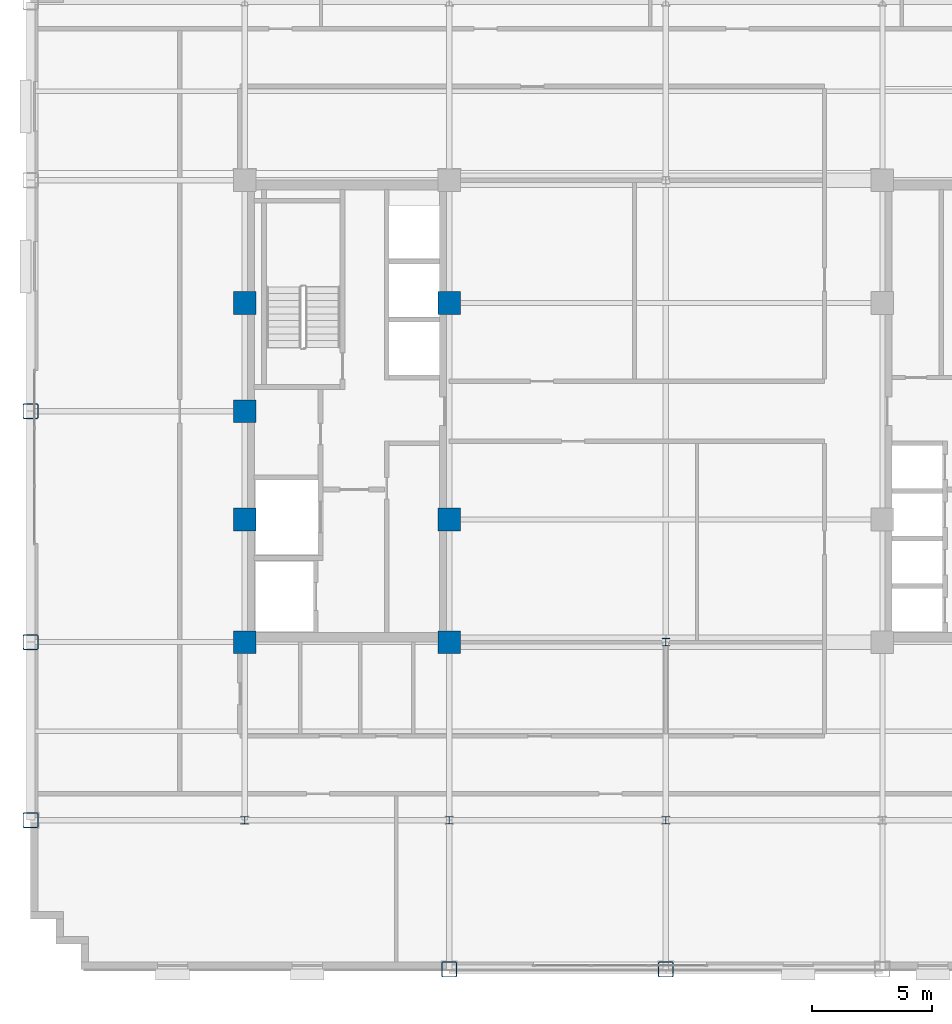
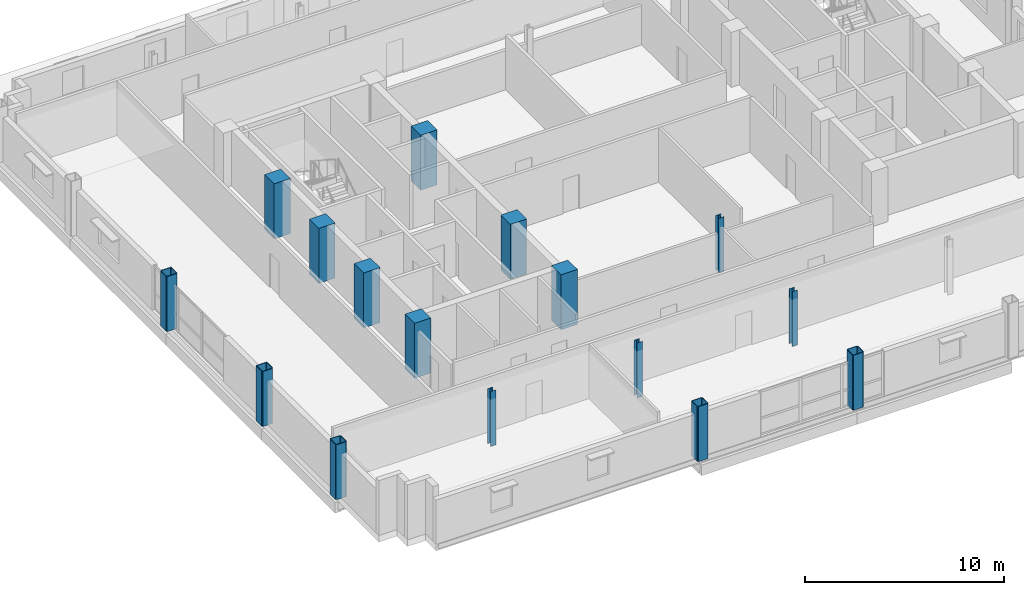
# One storey, part 1 of 17: 16 columns.
"""IFC4 building model written with IfcOpenShell, lengths in metres."""

from ifc_helpers import new_model, si_unit, direction, frame, origin, origin_2d, place, context, subcontext, project, spatial, rectangle, hollow_rectangle, i_section, extrude, material, material_profile, profile_set, type_object, element, save


model = new_model("IFC4")

# Units and contexts
model_context = context("Model", 3, precision=1e-05, world=origin(), true_north=direction((0.0, 1.0)))
body_context = subcontext(model_context, "Body", "Model", "MODEL_VIEW")
ifc_project = project(units=[si_unit("LENGTHUNIT", "METRE"), si_unit("AREAUNIT", "SQUARE_METRE"), si_unit("VOLUMEUNIT", "CUBIC_METRE"), si_unit("PLANEANGLEUNIT", "RADIAN"), si_unit("MASSUNIT", "GRAM", prefix="KILO")], contexts=[model_context])

# Site, building, storey
site_placement = place(None, origin())
site = spatial("IfcSite", under=ifc_project, at=site_placement, CompositionType="ELEMENT")
building_placement = place(site_placement, origin())
building = spatial("IfcBuilding", under=site, at=building_placement, Name="Nuvemarco Arch Tower", CompositionType="ELEMENT")
storey_placement = place(building_placement, frame((0.0, 0.0, 167.64990234375)))
storey = spatial("IfcBuildingStorey", under=building, at=storey_placement, Name="L44", CompositionType="ELEMENT", Elevation=167.64990234375)

# Columns
ifc_material_1 = material(Name="Concrete C50/60", Category="concrete")
ifc_material_profile_1 = material_profile(ifc_material_1, rectangle(XDim=0.949951171875, YDim=0.949951171875, at=origin_2d()), Name="RC-COL-950x950")
ifc_profile_set_1 = profile_set([ifc_material_profile_1], Name="Concrete C50/60")
column_type_1 = type_object("IfcColumnType", Name="COL-CORE-950", PredefinedType="COLUMN", material=ifc_profile_set_1)
for number, where, z_axis, x_axis, name in (
    (1, (-17.5, -9.60009765625, 0.0), (0.0, 0.0, 1.0), (1.0, 0.0, 0.0), "L44 column CC_-17.5_-9.6"),
    (2, (-17.5, -4.5, 0.0), (0.0, 0.0, 1.0), (1.0, 0.0, 0.0), "L44 column CC_-17.5_-4.5"),
    (3, (-17.5, 4.5, 0.0), (0.0, 0.0, 1.0), (1.0, 0.0, 0.0), "L44 column CC_-17.5_+4.5"),
    (4, (-9.0, -9.60009765625, 0.0), (0.0, 0.0, 1.0), (1.0, 0.0, 0.0), "L44 column CC_-9.0_-9.6"),
    (5, (-9.0, -4.5, 0.0), (0.0, 0.0, 1.0), (1.0, 0.0, 0.0), "L44 column CC_-9.0_-4.5"),
    (6, (-9.0, 4.5, 0.0), (0.0, 0.0, 1.0), (1.0, 0.0, 0.0), "L44 column CC_-9.0_+4.5"),
    (7, (-17.5, 0.0, 0.0), (0.0, 0.0, 1.0), (1.0, 0.0, 0.0), "L44 column CC_-17.5_+0.0"),
):
    element("IfcColumn", number, at=place(storey_placement, frame(where, z_axis=z_axis, x_axis=x_axis)), inside=storey, type_object=column_type_1, Name=name, PredefinedType="COLUMN", context=body_context, shape_type="SweptSolid", body=[
        extrude(rectangle(XDim=0.949951171875, YDim=0.949951171875, at=origin_2d()), origin(), (0.0, 0.0, 1.0), 3.3701171875),
    ])
ifc_material_2 = material(Name="Steel S355", Category="steel")
ifc_material_profile_2 = material_profile(ifc_material_2, hollow_rectangle(XDim=0.64990234375, YDim=0.64990234375, WallThickness=0.0400390625, InnerFilletRadius=0.0400390625, OuterFilletRadius=0.080078125, at=origin_2d()), Name="SHS650x650x40")
ifc_profile_set_2 = profile_set([ifc_material_profile_2], Name="Steel S355")
column_type_2 = type_object("IfcColumnType", Name="COL-EXO-650", PredefinedType="COLUMN", material=ifc_profile_set_2)
for number, where, z_axis, x_axis, name in (
    (8, (-26.39990234375, -17.0, 0.0), (0.0, 0.0, 1.0), (1.0, 0.0, 0.0), "L44 column CX_-26.4_-17.0"),
    (9, (-26.39990234375, -9.60009765625, 0.0), (0.0, 0.0, 1.0), (1.0, 0.0, 0.0), "L44 column CX_-26.4_-9.6"),
    (10, (-26.39990234375, 0.0, 0.0), (0.0, 0.0, 1.0), (1.0, 0.0, 0.0), "L44 column CX_-26.4_+0.0"),
    (11, (-9.0, -23.199951171875, 0.0), (0.0, 0.0, 1.0), (1.0, 0.0, 0.0), "L44 column CY_-9.0_-23.2"),
    (12, (0.0, -23.199951171875, 0.0), (0.0, 0.0, 1.0), (1.0, 0.0, 0.0), "L44 column CY_+0.0_-23.2"),
):
    element("IfcColumn", number, at=place(storey_placement, frame(where, z_axis=z_axis, x_axis=x_axis)), inside=storey, type_object=column_type_2, Name=name, PredefinedType="COLUMN", context=body_context, shape_type="SweptSolid", body=[
        extrude(hollow_rectangle(XDim=0.64990234375, YDim=0.64990234375, WallThickness=0.0400390625, InnerFilletRadius=0.0400390625, OuterFilletRadius=0.080078125, at=origin_2d()), origin(), (0.0, 0.0, 1.0), 3.3701171875),
    ])
ifc_material_profile_3 = material_profile(ifc_material_2, i_section(OverallWidth=0.31005859375, OverallDepth=0.31005859375, WebThickness=0.015380859375, FlangeThickness=0.015380859375, FilletRadius=0.014892578125, at=origin_2d()), Name="HP310x110")
ifc_profile_set_3 = profile_set([ifc_material_profile_3], Name="Steel S355")
column_type_3 = type_object("IfcColumnType", Name="COL-STL-HP310", PredefinedType="COLUMN", material=ifc_profile_set_3)
for number, where, z_axis, x_axis, name in (
    (13, (0.0, -17.0, 0.0), (0.0, 0.0, 1.0), (1.0, 0.0, 0.0), "L44 column CI_+0.0_-17.0"),
    (14, (0.0, -9.60009765625, 0.0), (0.0, 0.0, 1.0), (1.0, 0.0, 0.0), "L44 column CI_+0.0_-9.6"),
    (15, (-17.5, -17.0, 0.0), (0.0, 0.0, 1.0), (1.0, 0.0, 0.0), "L44 column CI_-17.5_-17.0"),
    (16, (-9.0, -17.0, 0.0), (0.0, 0.0, 1.0), (1.0, 0.0, 0.0), "L44 column CI_-9.0_-17.0"),
):
    element("IfcColumn", number, at=place(storey_placement, frame(where, z_axis=z_axis, x_axis=x_axis)), inside=storey, type_object=column_type_3, Name=name, PredefinedType="COLUMN", context=body_context, shape_type="SweptSolid", body=[
        extrude(i_section(OverallWidth=0.31005859375, OverallDepth=0.31005859375, WebThickness=0.015380859375, FlangeThickness=0.015380859375, FilletRadius=0.014892578125, at=origin_2d()), origin(), (0.0, 0.0, 1.0), 3.3701171875),
    ])

save(model, "model.ifc")
